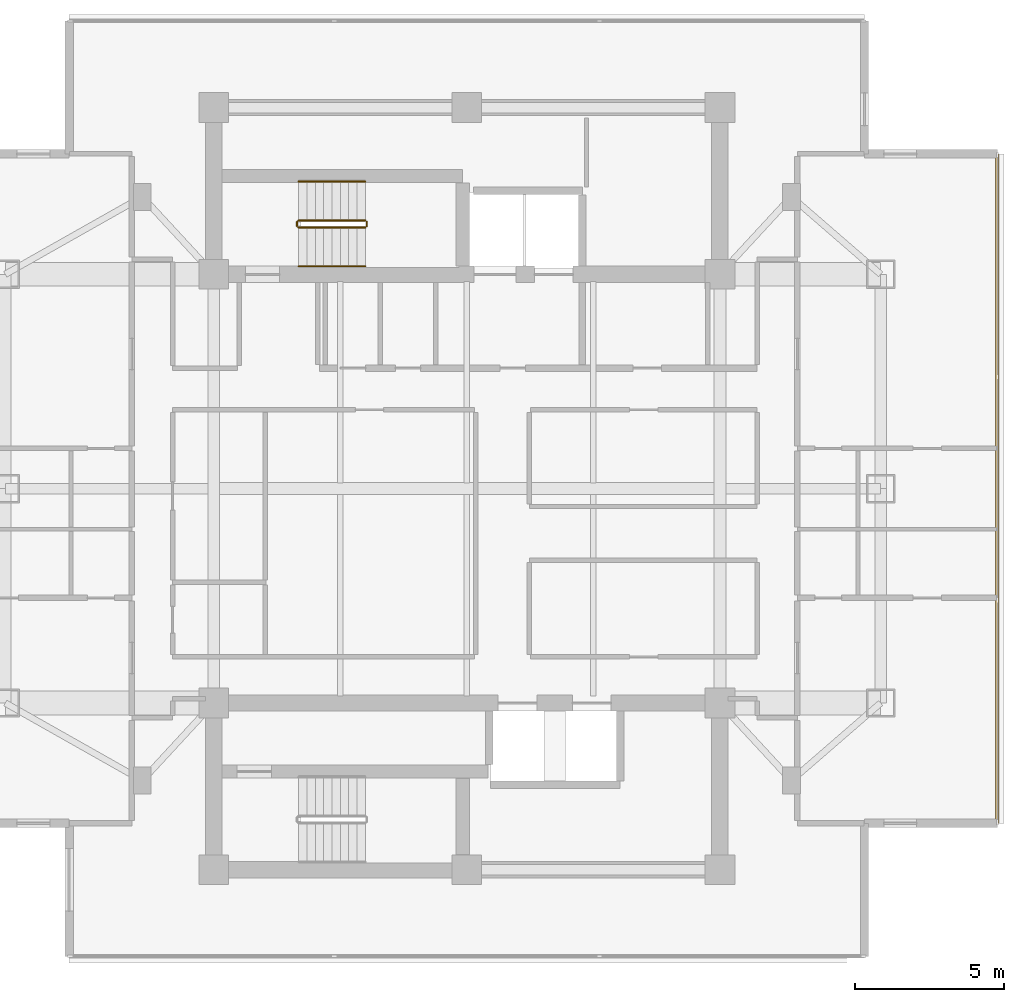
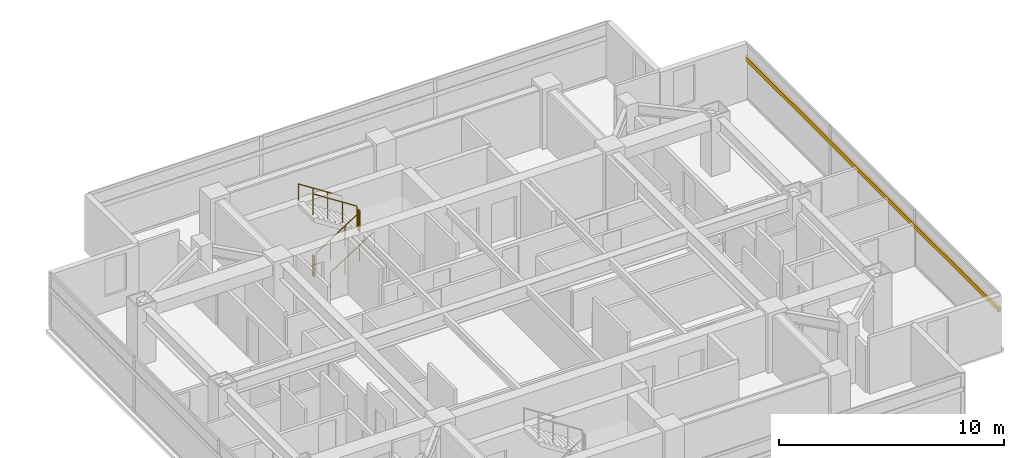
# One storey, part 25 of 26: 6 railings, 1 shading device.
"""IFC4 building model written with IfcOpenShell, lengths in metres."""

from ifc_helpers import new_model, si_unit, direction, frame, origin, origin_2d, place, context, subcontext, project, spatial, rectangle, circle, extrude, material, material_profile, profile_set, type_object, element, save


model = new_model("IFC4")

# Units and contexts
model_context = context("Model", 3, precision=1e-05, world=origin(), true_north=direction((0.0, 1.0)))
body_context = subcontext(model_context, "Body", "Model", "MODEL_VIEW")
ifc_project = project(units=[si_unit("LENGTHUNIT", "METRE"), si_unit("AREAUNIT", "SQUARE_METRE"), si_unit("VOLUMEUNIT", "CUBIC_METRE"), si_unit("PLANEANGLEUNIT", "RADIAN"), si_unit("MASSUNIT", "GRAM", prefix="KILO")], contexts=[model_context])

# Site, building, storey
site_placement = place(None, origin())
site = spatial("IfcSite", under=ifc_project, at=site_placement, CompositionType="ELEMENT")
building_placement = place(site_placement, origin())
building = spatial("IfcBuilding", under=site, at=building_placement, Name="Mirazonda Arch Towers", CompositionType="ELEMENT")
storey_placement = place(building_placement, frame((0.0, 0.0, 170.64990234375)))
storey = spatial("IfcBuildingStorey", under=building, at=storey_placement, Name="L48", CompositionType="ELEMENT", Elevation=170.64990234375)

# Shading device
ifc_material_1 = material(Name="Kiln-Fired Architectural Terracotta", Category="masonry")
ifc_material_profile = material_profile(ifc_material_1, rectangle(XDim=0.1201171875, YDim=0.239990234375, at=origin_2d()), Name="TERRA-BAG-120x240")
ifc_profile_set = profile_set([ifc_material_profile], Name="Kiln-Fired Architectural Terracotta")
shading_device_type = type_object("IfcShadingDeviceType", Name="BAGUETTE-1", PredefinedType="USERDEFINED", material=ifc_profile_set)
shading_device_placement = place(storey_placement, frame((94.322509765625, 16.757080078125, 2.181640625), z_axis=(0.0, 1.0, 0.0), x_axis=(-1.0, 0.0, 0.0)))
element("IfcShadingDevice", 1, at=shading_device_placement, inside=storey, type_object=shading_device_type, Name="L48 Glazed Terracotta Sun-Screen Baguette CW-L48-T2-E", ObjectType="BAGUETTE", PredefinedType="USERDEFINED", context=body_context, shape_type="SweptSolid", body=[
    extrude(rectangle(XDim=0.1201171875, YDim=0.239990234375, at=origin_2d()), origin(), (0.0, 0.0, 1.0), 22.48583984375),
])

# Railings
ifc_material_2 = material(Name="Architectural Brushed Steel S355", Category="steel")
railing_type_1 = type_object("IfcRailingType", Name="GUARD-STAIR-1120", PredefinedType="GUARDRAIL", material=ifc_material_2)
railing_1_placement = place(storey_placement, frame((70.85009765625, 36.77001953125, 0.1806640625)))
element("IfcRailing", 2, at=railing_1_placement, inside=storey, type_object=railing_type_1, Name="L48 ST-T2N stair guard 1", PredefinedType="GUARDRAIL", context=body_context, shape_type="SweptSolid", body=[
    extrude(circle(Radius=0.02392578125, at=origin_2d()), frame((0.0, 0.0, 1.1259765625), z_axis=(0.840436612492, 0.0, 0.541909863706), x_axis=(0.0, 1.0, 0.0)), (0.0, 0.0, 1.0), 2.665283203125),
    extrude(circle(Radius=0.02099609375, at=origin_2d()), origin(), (0.0, 0.0, 1.0), 1.101806640625),
    extrude(circle(Radius=0.02099609375, at=origin_2d()), frame((0.74658203125, 0.0, 0.4814453125)), (0.0, 0.0, 1.0), 1.101806640625),
    extrude(circle(Radius=0.02099609375, at=origin_2d()), frame((1.493408203125, 0.0, 0.962890625)), (0.0, 0.0, 1.0), 1.101806640625),
    extrude(circle(Radius=0.02099609375, at=origin_2d()), frame((2.239990234375, 0.0, 1.4443359375)), (0.0, 0.0, 1.0), 1.101806640625),
])
railing_2_placement = place(storey_placement, frame((73.139892578125, 36.820068359375, 1.625)))
element("IfcRailing", 3, at=railing_2_placement, inside=storey, type_object=railing_type_1, Name="L48 ST-T2N stair guard 2", PredefinedType="GUARDRAIL", context=body_context, shape_type="SweptSolid", body=[
    extrude(circle(Radius=0.02392578125, at=origin_2d()), frame((0.0, 0.0, 1.1259765625), z_axis=(0.0, 1.0, 0.0), x_axis=(-1.0, 0.0, 0.0)), (0.0, 0.0, 1.0), 0.139892578125),
    extrude(circle(Radius=0.02099609375, at=origin_2d()), origin(), (0.0, 0.0, 1.0), 1.101806640625),
    extrude(circle(Radius=0.02099609375, at=origin_2d()), frame((0.0, 0.139892578125, 0.0)), (0.0, 0.0, 1.0), 1.101806640625),
])
railing_3_placement = place(storey_placement, frame((73.090087890625, 37.010009765625, 1.8056640625)))
element("IfcRailing", 4, at=railing_3_placement, inside=storey, type_object=railing_type_1, Name="L48 ST-T2N stair guard 3", PredefinedType="GUARDRAIL", context=body_context, shape_type="SweptSolid", body=[
    extrude(circle(Radius=0.02392578125, at=origin_2d()), frame((0.0, 0.0, 1.1259765625), z_axis=(-0.840436612492, 0.0, 0.541909863706), x_axis=(0.0, -1.0, 0.0)), (0.0, 0.0, 1.0), 2.665283203125),
    extrude(circle(Radius=0.02099609375, at=origin_2d()), origin(), (0.0, 0.0, 1.0), 1.101806640625),
    extrude(circle(Radius=0.02099609375, at=origin_2d()), frame((-0.74658203125, 0.0, 0.4814453125)), (0.0, 0.0, 1.0), 1.101806640625),
    extrude(circle(Radius=0.02099609375, at=origin_2d()), frame((-1.493408203125, 0.0, 0.962890625)), (0.0, 0.0, 1.0), 1.101806640625),
    extrude(circle(Radius=0.02099609375, at=origin_2d()), frame((-2.239990234375, 0.0, 1.4443359375)), (0.0, 0.0, 1.0), 1.101806640625),
])
railing_4_placement = place(storey_placement, frame((70.800048828125, 36.820068359375, 0.0)))
element("IfcRailing", 5, at=railing_4_placement, inside=storey, type_object=railing_type_1, Name="L48 ST-T2N stair guard 4", PredefinedType="GUARDRAIL", context=body_context, shape_type="SweptSolid", body=[
    extrude(circle(Radius=0.02392578125, at=origin_2d()), frame((0.0, 0.0, 1.1259765625), z_axis=(0.0, 1.0, 0.0), x_axis=(-1.0, 0.0, 0.0)), (0.0, 0.0, 1.0), 0.139892578125),
    extrude(circle(Radius=0.02099609375, at=origin_2d()), origin(), (0.0, 0.0, 1.0), 1.101806640625),
    extrude(circle(Radius=0.02099609375, at=origin_2d()), frame((0.0, 0.139892578125, 0.0)), (0.0, 0.0, 1.0), 1.101806640625),
])
railing_type_2 = type_object("IfcRailingType", Name="HANDRAIL-915", PredefinedType="HANDRAIL", material=ifc_material_2)
railing_5_placement = place(storey_placement, frame((70.85009765625, 35.469970703125, 0.1806640625)))
element("IfcRailing", 6, at=railing_5_placement, inside=storey, type_object=railing_type_2, Name="L48 ST-T2N stair handrail 1", PredefinedType="HANDRAIL", context=body_context, shape_type="SweptSolid", body=[
    extrude(circle(Radius=0.02392578125, at=origin_2d()), frame((0.0, 0.0, 0.8759765625), z_axis=(0.840436612492, 0.0, 0.541909863706), x_axis=(0.0, 1.0, 0.0)), (0.0, 0.0, 1.0), 2.665283203125),
    extrude(circle(Radius=0.02099609375, at=origin_2d()), origin(), (0.0, 0.0, 1.0), 0.851806640625),
    extrude(circle(Radius=0.02099609375, at=origin_2d()), frame((0.74658203125, 0.0, 0.4814453125)), (0.0, 0.0, 1.0), 0.851806640625),
    extrude(circle(Radius=0.02099609375, at=origin_2d()), frame((1.493408203125, 0.0, 0.962890625)), (0.0, 0.0, 1.0), 0.851806640625),
    extrude(circle(Radius=0.02099609375, at=origin_2d()), frame((2.239990234375, 0.0, 1.4443359375)), (0.0, 0.0, 1.0), 0.851806640625),
])
railing_6_placement = place(storey_placement, frame((73.090087890625, 38.31005859375, 1.8056640625)))
element("IfcRailing", 7, at=railing_6_placement, inside=storey, type_object=railing_type_2, Name="L48 ST-T2N stair handrail 2", PredefinedType="HANDRAIL", context=body_context, shape_type="SweptSolid", body=[
    extrude(circle(Radius=0.02392578125, at=origin_2d()), frame((0.0, 0.0, 0.8759765625), z_axis=(-0.840436612492, 0.0, 0.541909863706), x_axis=(0.0, -1.0, 0.0)), (0.0, 0.0, 1.0), 2.665283203125),
    extrude(circle(Radius=0.02099609375, at=origin_2d()), origin(), (0.0, 0.0, 1.0), 0.851806640625),
    extrude(circle(Radius=0.02099609375, at=origin_2d()), frame((-0.74658203125, 0.0, 0.4814453125)), (0.0, 0.0, 1.0), 0.851806640625),
    extrude(circle(Radius=0.02099609375, at=origin_2d()), frame((-1.493408203125, 0.0, 0.962890625)), (0.0, 0.0, 1.0), 0.851806640625),
    extrude(circle(Radius=0.02099609375, at=origin_2d()), frame((-2.239990234375, 0.0, 1.4443359375)), (0.0, 0.0, 1.0), 0.851806640625),
])

save(model, "model.ifc")
